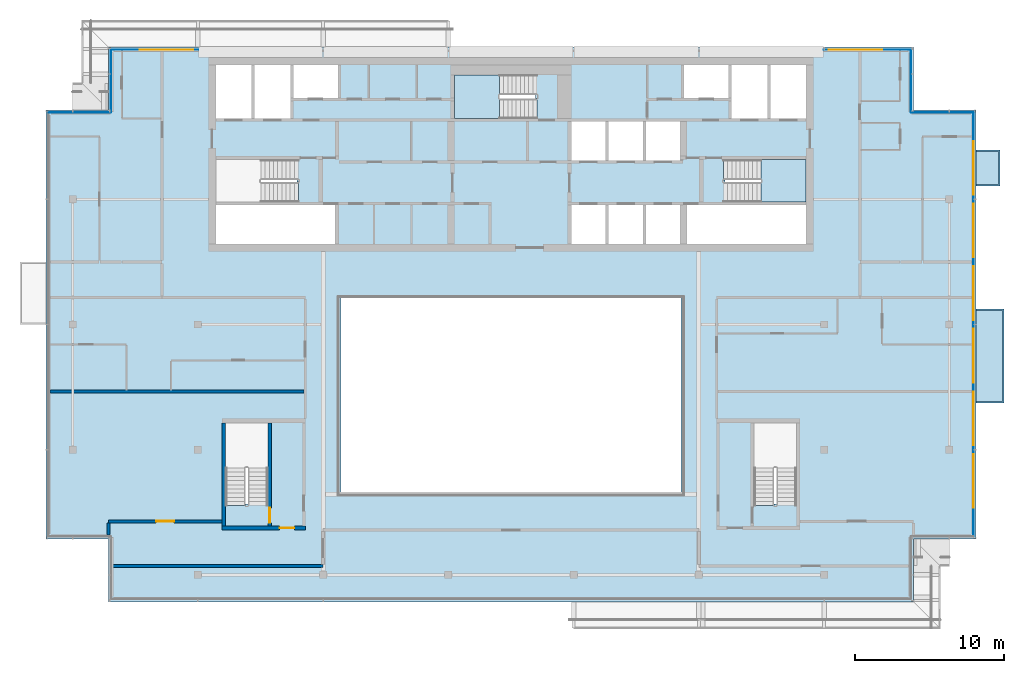
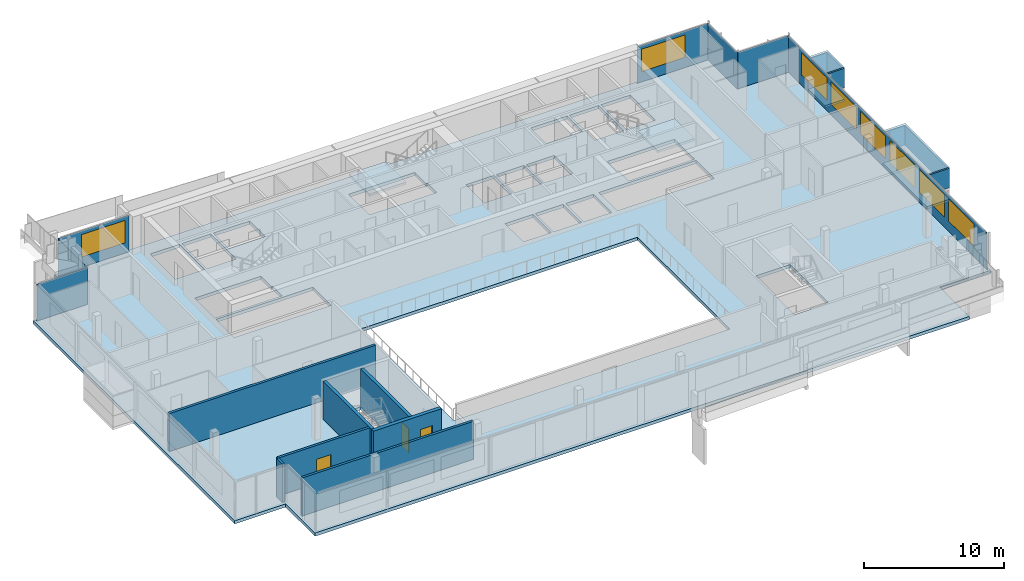
# One storey, part 10 of 21: 11 plates, 8 windows, 7 walls, 5 slabs, 3 doors, 11 openings, 8 elements without a shape of their own.
"""IFC4 building model written with IfcOpenShell, lengths in metres."""

from ifc_helpers import new_model, si_unit, direction, frame, frame_2d, origin, place, context, subcontext, project, spatial, polyline, rectangle, outline, extrude, material, layer, layer_set, type_object, element, fill, aggregate, save


model = new_model("IFC4")

# Units and contexts
model_context = context("Model", 3, precision=1e-05, world=origin(), true_north=direction((0.0, 1.0)))
body_context = subcontext(model_context, "Body", "Model", "MODEL_VIEW")
ifc_project = project(units=[si_unit("LENGTHUNIT", "METRE"), si_unit("AREAUNIT", "SQUARE_METRE"), si_unit("VOLUMEUNIT", "CUBIC_METRE"), si_unit("PLANEANGLEUNIT", "RADIAN"), si_unit("MASSUNIT", "GRAM", prefix="KILO")], contexts=[model_context])

# Site, building, storey
site_placement = place(None, origin())
site = spatial("IfcSite", under=ifc_project, at=site_placement, CompositionType="ELEMENT")
building_placement = place(site_placement, origin())
building = spatial("IfcBuilding", under=site, at=building_placement, Name="Saffron Gate Tower", CompositionType="ELEMENT")
storey_placement = place(building_placement, frame((0.0, 0.0, 288.75)))
storey = spatial("IfcBuildingStorey", under=building, at=storey_placement, Name="L70", CompositionType="ELEMENT", Elevation=288.75)

# Curtain wall, plate, openings, windows
ifc_material_1 = material(Name="Aluminium, bronze anodised", Category="aluminium")
curtain_wall_type_1 = type_object("IfcCurtainWallType", Name="CWS2 curtain wall side facades", PredefinedType="NOTDEFINED", material=ifc_material_1)
curtain_wall_1_placement = place(storey_placement, origin())
curtain_wall_1 = element("IfcCurtainWall", 1, at=curtain_wall_1_placement, inside=storey, type_object=curtain_wall_type_1, Name="CWS2 run 4", PredefinedType="NOTDEFINED")
ifc_material_2 = material(Name="Fritted bronze-tinted laminated glass", Category="glass")
ifc_layer_1 = layer(ifc_material_2, 0.028076171875)
ifc_layer_set_1 = layer_set([ifc_layer_1], Name="CWS2 fixed glass")
plate_type_1 = type_object("IfcPlateType", Name="CWS2 fixed glass", PredefinedType="CURTAIN_PANEL", material=ifc_layer_set_1)
plate_1_placement = place(storey_placement, frame((118.6259765625, 42.7880859375, 0.0), z_axis=(0.0, 0.0, 1.0), x_axis=(0.0, 1.0, 0.0)))
plate_1 = element("IfcPlate", 2, at=plate_1_placement, type_object=plate_type_1, Name="CWS2 glass panel", PredefinedType="CURTAIN_PANEL", context=body_context, shape_type="SweptSolid", body=[
    extrude(rectangle(XDim=28.423828125, YDim=0.028076171875, at=frame_2d((14.2119140625, 0.0))), origin(), (0.0, 0.0, 1.0), 3.199951171875),
])
opening_1_placement = place(plate_1_placement, frame((1.912109375, 0.0, 0.89990234375)))
opening_1 = element("IfcOpeningElement", 3, at=opening_1_placement, cuts=plate_1, Name="Opening W1", PredefinedType="OPENING", context=body_context, shape_type="SweptSolid", body=[
    extrude(rectangle(XDim=3.60009765625, YDim=1.949951171875, at=frame_2d((1.800048828125, 0.97509765625))), frame((0.0, 0.02392578125, 0.0), z_axis=(0.0, -1.0, 0.0), x_axis=(1.0, 0.0, 0.0)), (0.0, 0.0, 1.0), 0.048095703125),
])
opening_2_placement = place(plate_1_placement, frame((6.112060546875, 0.0, 0.89990234375)))
opening_2 = element("IfcOpeningElement", 4, at=opening_2_placement, cuts=plate_1, Name="Opening W1", PredefinedType="OPENING", context=body_context, shape_type="SweptSolid", body=[
    extrude(rectangle(XDim=3.60009765625, YDim=1.949951171875, at=frame_2d((1.800048828125, 0.97509765625))), frame((0.0, 0.02392578125, 0.0), z_axis=(0.0, -1.0, 0.0), x_axis=(1.0, 0.0, 0.0)), (0.0, 0.0, 1.0), 0.048095703125),
])
opening_3_placement = place(plate_1_placement, frame((10.31201171875, 0.0, 0.89990234375)))
opening_3 = element("IfcOpeningElement", 5, at=opening_3_placement, cuts=plate_1, Name="Opening W1", PredefinedType="OPENING", context=body_context, shape_type="SweptSolid", body=[
    extrude(rectangle(XDim=3.60009765625, YDim=1.949951171875, at=frame_2d((1.800048828125, 0.97509765625))), frame((0.0, 0.02392578125, 0.0), z_axis=(0.0, -1.0, 0.0), x_axis=(1.0, 0.0, 0.0)), (0.0, 0.0, 1.0), 0.048095703125),
])
opening_4_placement = place(plate_1_placement, frame((14.511962890625, 0.0, 0.89990234375)))
opening_4 = element("IfcOpeningElement", 6, at=opening_4_placement, cuts=plate_1, Name="Opening W1", PredefinedType="OPENING", context=body_context, shape_type="SweptSolid", body=[
    extrude(rectangle(XDim=3.60009765625, YDim=1.949951171875, at=frame_2d((1.800048828125, 0.97509765625))), frame((0.0, 0.02392578125, 0.0), z_axis=(0.0, -1.0, 0.0), x_axis=(1.0, 0.0, 0.0)), (0.0, 0.0, 1.0), 0.048095703125),
])
opening_5_placement = place(plate_1_placement, frame((18.7119140625, 0.0, 0.89990234375)))
opening_5 = element("IfcOpeningElement", 7, at=opening_5_placement, cuts=plate_1, Name="Opening W1", PredefinedType="OPENING", context=body_context, shape_type="SweptSolid", body=[
    extrude(rectangle(XDim=3.60009765625, YDim=1.949951171875, at=frame_2d((1.800048828125, 0.97509765625))), frame((0.0, 0.02392578125, 0.0), z_axis=(0.0, -1.0, 0.0), x_axis=(1.0, 0.0, 0.0)), (0.0, 0.0, 1.0), 0.048095703125),
])
opening_6_placement = place(plate_1_placement, frame((22.912109375, 0.0, 0.89990234375)))
opening_6 = element("IfcOpeningElement", 8, at=opening_6_placement, cuts=plate_1, Name="Opening W1", PredefinedType="OPENING", context=body_context, shape_type="SweptSolid", body=[
    extrude(rectangle(XDim=3.60009765625, YDim=1.949951171875, at=frame_2d((1.800048828125, 0.97509765625))), frame((0.0, 0.02392578125, 0.0), z_axis=(0.0, -1.0, 0.0), x_axis=(1.0, 0.0, 0.0)), (0.0, 0.0, 1.0), 0.048095703125),
])
ifc_material_3 = material(Name="Fritted bronze-tinted laminated glass in bronze frame", Category="glass")
ifc_layer_2 = layer(ifc_material_3, 0.06005859375)
ifc_layer_set_2 = layer_set([ifc_layer_2], Name="W1 operable panel 3600x1950")
window_type = type_object("IfcWindowType", Name="W1 operable panel 3600x1950", PartitioningType="DOUBLE_PANEL_HORIZONTAL", PredefinedType="WINDOW", material=ifc_layer_set_2)
window_1_placement = place(opening_1_placement, origin())
window_1 = element("IfcWindow", 9, at=window_1_placement, type_object=window_type, Name="W1 operable panel", OverallHeight=1.949951171875, OverallWidth=3.60009765625, PartitioningType="SINGLE_PANEL", PredefinedType="WINDOW", context=body_context, shape_type="SweptSolid", body=[
    extrude(rectangle(XDim=3.60009765625, YDim=1.949951171875, at=frame_2d((1.800048828125, 0.97509765625))), frame((0.0, 0.013671875, 0.0), z_axis=(0.0, -1.0, 0.0), x_axis=(1.0, 0.0, 0.0)), (0.0, 0.0, 1.0), 0.027587890625),
])
fill(opening_1, window_1)
window_2_placement = place(opening_2_placement, origin())
window_2 = element("IfcWindow", 10, at=window_2_placement, type_object=window_type, Name="W1 operable panel", OverallHeight=1.949951171875, OverallWidth=3.60009765625, PartitioningType="SINGLE_PANEL", PredefinedType="WINDOW", context=body_context, shape_type="SweptSolid", body=[
    extrude(rectangle(XDim=3.60009765625, YDim=1.949951171875, at=frame_2d((1.800048828125, 0.97509765625))), frame((0.0, 0.013671875, 0.0), z_axis=(0.0, -1.0, 0.0), x_axis=(1.0, 0.0, 0.0)), (0.0, 0.0, 1.0), 0.027587890625),
])
fill(opening_2, window_2)
window_3_placement = place(opening_3_placement, origin())
window_3 = element("IfcWindow", 11, at=window_3_placement, type_object=window_type, Name="W1 operable panel", OverallHeight=1.949951171875, OverallWidth=3.60009765625, PartitioningType="SINGLE_PANEL", PredefinedType="WINDOW", context=body_context, shape_type="SweptSolid", body=[
    extrude(rectangle(XDim=3.60009765625, YDim=1.949951171875, at=frame_2d((1.800048828125, 0.97509765625))), frame((0.0, 0.013671875, 0.0), z_axis=(0.0, -1.0, 0.0), x_axis=(1.0, 0.0, 0.0)), (0.0, 0.0, 1.0), 0.027587890625),
])
fill(opening_3, window_3)
window_4_placement = place(opening_4_placement, origin())
window_4 = element("IfcWindow", 12, at=window_4_placement, type_object=window_type, Name="W1 operable panel", OverallHeight=1.949951171875, OverallWidth=3.60009765625, PartitioningType="SINGLE_PANEL", PredefinedType="WINDOW", context=body_context, shape_type="SweptSolid", body=[
    extrude(rectangle(XDim=3.60009765625, YDim=1.949951171875, at=frame_2d((1.800048828125, 0.97509765625))), frame((0.0, 0.013671875, 0.0), z_axis=(0.0, -1.0, 0.0), x_axis=(1.0, 0.0, 0.0)), (0.0, 0.0, 1.0), 0.027587890625),
])
fill(opening_4, window_4)
window_5_placement = place(opening_5_placement, origin())
window_5 = element("IfcWindow", 13, at=window_5_placement, type_object=window_type, Name="W1 operable panel", OverallHeight=1.949951171875, OverallWidth=3.60009765625, PartitioningType="SINGLE_PANEL", PredefinedType="WINDOW", context=body_context, shape_type="SweptSolid", body=[
    extrude(rectangle(XDim=3.60009765625, YDim=1.949951171875, at=frame_2d((1.800048828125, 0.97509765625))), frame((0.0, 0.013671875, 0.0), z_axis=(0.0, -1.0, 0.0), x_axis=(1.0, 0.0, 0.0)), (0.0, 0.0, 1.0), 0.027587890625),
])
fill(opening_5, window_5)
window_6_placement = place(opening_6_placement, origin())
window_6 = element("IfcWindow", 14, at=window_6_placement, type_object=window_type, Name="W1 operable panel", OverallHeight=1.949951171875, OverallWidth=3.60009765625, PartitioningType="SINGLE_PANEL", PredefinedType="WINDOW", context=body_context, shape_type="SweptSolid", body=[
    extrude(rectangle(XDim=3.60009765625, YDim=1.949951171875, at=frame_2d((1.800048828125, 0.97509765625))), frame((0.0, 0.013671875, 0.0), z_axis=(0.0, -1.0, 0.0), x_axis=(1.0, 0.0, 0.0)), (0.0, 0.0, 1.0), 0.027587890625),
])
fill(opening_6, window_6)
aggregate(curtain_wall_1, [plate_1, window_1, window_2, window_3, window_4, window_5, window_6])

# Curtain wall, plates, openings, windows
curtain_wall_type_2 = type_object("IfcCurtainWallType", Name="CWS3 curtain wall rear facade", PredefinedType="NOTDEFINED", material=ifc_material_1)
curtain_wall_2_placement = place(storey_placement, origin())
curtain_wall_2 = element("IfcCurtainWall", 15, at=curtain_wall_2_placement, inside=storey, type_object=curtain_wall_type_2, Name="CWS3 run 7", PredefinedType="NOTDEFINED")
ifc_material_4 = material(Name="Fritted grey-tinted laminated glass", Category="glass")
ifc_layer_3 = layer(ifc_material_4, 0.028076171875)
ifc_layer_set_3 = layer_set([ifc_layer_3], Name="CWS3 fixed glass")
plate_type_2 = type_object("IfcPlateType", Name="CWS3 fixed glass", PredefinedType="CURTAIN_PANEL", material=ifc_layer_set_3)
plate_2_placement = place(storey_placement, frame((114.412109375, 75.426025390625, 0.0), z_axis=(0.0, 0.0, 1.0), x_axis=(-1.0, 0.0, 0.0)))
plate_2 = element("IfcPlate", 16, at=plate_2_placement, type_object=plate_type_2, Name="CWS3 glass panel", PredefinedType="CURTAIN_PANEL", context=body_context, shape_type="SweptSolid", body=[
    extrude(rectangle(XDim=5.84716796875, YDim=0.028076171875, at=frame_2d((2.923583984375, 0.0))), origin(), (0.0, 0.0, 1.0), 3.199951171875),
])
opening_7_placement = place(plate_2_placement, frame((1.912109375, 0.0, 0.89990234375)))
opening_7 = element("IfcOpeningElement", 17, at=opening_7_placement, cuts=plate_2, Name="Opening W1", PredefinedType="OPENING", context=body_context, shape_type="SweptSolid", body=[
    extrude(rectangle(XDim=3.60009765625, YDim=1.949951171875, at=frame_2d((1.800048828125, 0.97509765625))), frame((0.0, 0.02392578125, 0.0), z_axis=(0.0, -1.0, 0.0), x_axis=(1.0, 0.0, 0.0)), (0.0, 0.0, 1.0), 0.048095703125),
])
window_7_placement = place(opening_7_placement, origin())
window_7 = element("IfcWindow", 18, at=window_7_placement, type_object=window_type, Name="W1 operable panel", OverallHeight=1.949951171875, OverallWidth=3.60009765625, PartitioningType="SINGLE_PANEL", PredefinedType="WINDOW", context=body_context, shape_type="SweptSolid", body=[
    extrude(rectangle(XDim=3.60009765625, YDim=1.949951171875, at=frame_2d((1.800048828125, 0.97509765625))), frame((0.0, 0.013671875, 0.0), z_axis=(0.0, -1.0, 0.0), x_axis=(1.0, 0.0, 0.0)), (0.0, 0.0, 1.0), 0.027587890625),
])
fill(opening_7, window_7)
plate_3_placement = place(storey_placement, frame((66.635009765625, 75.426025390625, 0.0), z_axis=(0.0, 0.0, 1.0), x_axis=(-1.0, 0.0, 0.0)))
plate_3 = element("IfcPlate", 19, at=plate_3_placement, type_object=plate_type_2, Name="CWS3 glass panel", PredefinedType="CURTAIN_PANEL", context=body_context, shape_type="SweptSolid", body=[
    extrude(rectangle(XDim=5.846923828125, YDim=0.028076171875, at=frame_2d((2.92333984375, 0.0))), origin(), (0.0, 0.0, 1.0), 3.199951171875),
])
opening_8_placement = place(plate_3_placement, frame((0.3349609375, 0.0, 0.89990234375)))
opening_8 = element("IfcOpeningElement", 20, at=opening_8_placement, cuts=plate_3, Name="Opening W1", PredefinedType="OPENING", context=body_context, shape_type="SweptSolid", body=[
    extrude(rectangle(XDim=3.60009765625, YDim=1.949951171875, at=frame_2d((1.800048828125, 0.97509765625))), frame((0.0, 0.02392578125, 0.0), z_axis=(0.0, -1.0, 0.0), x_axis=(1.0, 0.0, 0.0)), (0.0, 0.0, 1.0), 0.048095703125),
])
window_8_placement = place(opening_8_placement, origin())
window_8 = element("IfcWindow", 21, at=window_8_placement, type_object=window_type, Name="W1 operable panel", OverallHeight=1.949951171875, OverallWidth=3.60009765625, PartitioningType="SINGLE_PANEL", PredefinedType="WINDOW", context=body_context, shape_type="SweptSolid", body=[
    extrude(rectangle(XDim=3.60009765625, YDim=1.949951171875, at=frame_2d((1.800048828125, 0.97509765625))), frame((0.0, 0.013671875, 0.0), z_axis=(0.0, -1.0, 0.0), x_axis=(1.0, 0.0, 0.0)), (0.0, 0.0, 1.0), 0.027587890625),
])
fill(opening_8, window_8)
aggregate(curtain_wall_2, [plate_2, plate_3, window_7, window_8])

# Curtain wall, plate
curtain_wall_type_3 = type_object("IfcCurtainWallType", Name="CWS4 curtain wall corner returns", PredefinedType="NOTDEFINED", material=ifc_material_1)
curtain_wall_3_placement = place(storey_placement, origin())
curtain_wall_3 = element("IfcCurtainWall", 22, at=curtain_wall_3_placement, inside=storey, type_object=curtain_wall_type_3, Name="CWS4 run 5", PredefinedType="NOTDEFINED")
ifc_layer_4 = layer(ifc_material_2, 0.028076171875)
ifc_layer_set_4 = layer_set([ifc_layer_4], Name="CWS4 fixed glass")
plate_type_3 = type_object("IfcPlateType", Name="CWS4 fixed glass", PredefinedType="CURTAIN_PANEL", material=ifc_layer_set_4)
plate_4_placement = place(storey_placement, frame((118.612060546875, 71.22607421875, 0.0), z_axis=(0.0, 0.0, 1.0), x_axis=(-1.0, 0.0, 0.0)))
plate_4 = element("IfcPlate", 23, at=plate_4_placement, type_object=plate_type_3, Name="CWS4 glass panel", PredefinedType="CURTAIN_PANEL", context=body_context, shape_type="SweptSolid", body=[
    extrude(rectangle(XDim=4.172119140625, YDim=0.028076171875, at=frame_2d((2.0859375, 0.0))), origin(), (0.0, 0.0, 1.0), 3.199951171875),
])
aggregate(curtain_wall_3, [plate_4])

curtain_wall_4_placement = place(storey_placement, origin())
curtain_wall_4 = element("IfcCurtainWall", 24, at=curtain_wall_4_placement, inside=storey, type_object=curtain_wall_type_3, Name="CWS4 run 6", PredefinedType="NOTDEFINED")
plate_5_placement = place(storey_placement, frame((114.426025390625, 71.239990234375, 0.0), z_axis=(0.0, 0.0, 1.0), x_axis=(0.0, 1.0, 0.0)))
plate_5 = element("IfcPlate", 25, at=plate_5_placement, type_object=plate_type_3, Name="CWS4 glass panel", PredefinedType="CURTAIN_PANEL", context=body_context, shape_type="SweptSolid", body=[
    extrude(rectangle(XDim=4.172119140625, YDim=0.028076171875, at=frame_2d((2.0859375, 0.0))), origin(), (0.0, 0.0, 1.0), 3.199951171875),
])
aggregate(curtain_wall_4, [plate_5])

curtain_wall_5_placement = place(storey_placement, origin())
curtain_wall_5 = element("IfcCurtainWall", 26, at=curtain_wall_5_placement, inside=storey, type_object=curtain_wall_type_3, Name="CWS4 run 8", PredefinedType="NOTDEFINED")
plate_6_placement = place(storey_placement, frame((60.77392578125, 75.412109375, 0.0), z_axis=(0.0, 0.0, 1.0), x_axis=(0.0, -1.0, 0.0)))
plate_6 = element("IfcPlate", 27, at=plate_6_placement, type_object=plate_type_3, Name="CWS4 glass panel", PredefinedType="CURTAIN_PANEL", context=body_context, shape_type="SweptSolid", body=[
    extrude(rectangle(XDim=4.172119140625, YDim=0.028076171875, at=frame_2d((2.0859375, 0.0))), origin(), (0.0, 0.0, 1.0), 3.199951171875),
])
aggregate(curtain_wall_5, [plate_6])

curtain_wall_6_placement = place(storey_placement, origin())
curtain_wall_6 = element("IfcCurtainWall", 28, at=curtain_wall_6_placement, inside=storey, type_object=curtain_wall_type_3, Name="CWS4 run 9", PredefinedType="NOTDEFINED")
plate_7_placement = place(storey_placement, frame((60.760009765625, 71.22607421875, 0.0), z_axis=(0.0, 0.0, 1.0), x_axis=(-1.0, 0.0, 0.0)))
plate_7 = element("IfcPlate", 29, at=plate_7_placement, type_object=plate_type_3, Name="CWS4 glass panel", PredefinedType="CURTAIN_PANEL", context=body_context, shape_type="SweptSolid", body=[
    extrude(rectangle(XDim=4.172119140625, YDim=0.028076171875, at=frame_2d((2.0859375, 0.0))), origin(), (0.0, 0.0, 1.0), 3.199951171875),
])
aggregate(curtain_wall_6, [plate_7])

# Slab
ifc_material_5 = material(Name="Concrete C40", Category="concrete")
ifc_layer_5 = layer(ifc_material_5, 0.280029296875)
ifc_layer_set_5 = layer_set([ifc_layer_5], Name="S2 FLOOR SLAB 280 CONCRETE C40")
slab_type_1 = type_object("IfcSlabType", Name="S2 FLOOR SLAB 280 CONCRETE C40", PredefinedType="FLOOR", material=ifc_layer_set_5)
slab_1_placement = place(storey_placement, frame((0.0, 0.0, -0.280029296875)))
element("IfcSlab", 30, at=slab_1_placement, inside=storey, type_object=slab_type_1, Name="S2 FLOOR SLAB", PredefinedType="FLOOR", context=body_context, shape_type="SweptSolid", body=[
    extrude(outline(polyline([(56.39990234375, 42.60009765625), (60.60009765625, 42.60009765625), (60.60009765625, 38.39990234375), (114.60009765625, 38.39990234375), (114.60009765625, 42.60009765625), (118.800048828125, 42.60009765625), (118.800048828125, 71.39990234375), (114.60009765625, 71.39990234375), (114.60009765625, 75.60009765625), (60.60009765625, 75.60009765625), (60.60009765625, 71.39990234375), (56.39990234375, 71.39990234375), (56.39990234375, 42.60009765625)]), holes=[polyline([(67.800048828125, 62.39990234375), (67.800048828125, 65.0), (75.800048828125, 65.0), (75.800048828125, 62.39990234375), (67.800048828125, 62.39990234375)]), polyline([(67.800048828125, 65.199951171875), (67.800048828125, 68.050048828125), (73.25, 68.050048828125), (73.25, 66.550048828125), (73.34912109375, 66.550048828125), (73.34912109375, 65.199951171875), (67.800048828125, 65.199951171875)]), polyline([(67.800048828125, 70.800048828125), (67.800048828125, 74.39990234375), (70.199951171875, 74.39990234375), (70.199951171875, 70.800048828125), (67.800048828125, 70.800048828125)]), polyline([(68.449951171875, 44.85107421875), (68.449951171875, 50.39990234375), (71.300048828125, 50.39990234375), (71.300048828125, 44.949951171875), (69.800048828125, 44.949951171875), (69.800048828125, 44.85107421875), (68.449951171875, 44.85107421875)]), polyline([(70.39990234375, 70.800048828125), (70.39990234375, 74.39990234375), (72.800048828125, 74.39990234375), (72.800048828125, 70.800048828125), (70.39990234375, 70.800048828125)]), polyline([(73.0, 72.199951171875), (73.0, 74.39990234375), (76.0, 74.39990234375), (76.0, 72.199951171875), (73.0, 72.199951171875)]), polyline([(76.199951171875, 45.60009765625), (76.199951171875, 58.800048828125), (99.0, 58.800048828125), (99.0, 45.60009765625), (76.199951171875, 45.60009765625)]), polyline([(83.800048828125, 70.800048828125), (83.800048828125, 73.75), (89.25, 73.75), (89.25, 72.14990234375), (89.34912109375, 72.14990234375), (89.34912109375, 70.800048828125), (83.800048828125, 70.800048828125)]), polyline([(91.64990234375, 62.39990234375), (91.64990234375, 65.0), (93.949951171875, 65.0), (93.949951171875, 62.39990234375), (91.64990234375, 62.39990234375)]), polyline([(91.64990234375, 68.0), (91.64990234375, 70.60009765625), (93.949951171875, 70.60009765625), (93.949951171875, 68.0), (91.64990234375, 68.0)]), polyline([(94.14990234375, 62.39990234375), (94.14990234375, 65.0), (96.449951171875, 65.0), (96.449951171875, 62.39990234375), (94.14990234375, 62.39990234375)]), polyline([(94.14990234375, 68.0), (94.14990234375, 70.60009765625), (96.449951171875, 70.60009765625), (96.449951171875, 68.0), (94.14990234375, 68.0)]), polyline([(96.64990234375, 62.39990234375), (96.64990234375, 65.0), (98.949951171875, 65.0), (98.949951171875, 62.39990234375), (96.64990234375, 62.39990234375)]), polyline([(96.64990234375, 68.0), (96.64990234375, 70.60009765625), (98.949951171875, 70.60009765625), (98.949951171875, 68.0), (96.64990234375, 68.0)]), polyline([(99.199951171875, 72.199951171875), (99.199951171875, 74.39990234375), (102.199951171875, 74.39990234375), (102.199951171875, 72.199951171875), (99.199951171875, 72.199951171875)]), polyline([(99.39990234375, 62.39990234375), (99.39990234375, 65.0), (107.39990234375, 65.0), (107.39990234375, 62.39990234375), (99.39990234375, 62.39990234375)]), polyline([(101.85107421875, 66.699951171875), (101.85107421875, 68.050048828125), (107.39990234375, 68.050048828125), (107.39990234375, 65.199951171875), (101.949951171875, 65.199951171875), (101.949951171875, 66.699951171875), (101.85107421875, 66.699951171875)]), polyline([(102.39990234375, 70.800048828125), (102.39990234375, 74.39990234375), (104.800048828125, 74.39990234375), (104.800048828125, 70.800048828125), (102.39990234375, 70.800048828125)]), polyline([(103.89990234375, 44.85107421875), (103.89990234375, 50.39990234375), (106.75, 50.39990234375), (106.75, 44.949951171875), (105.25, 44.949951171875), (105.25, 44.85107421875), (103.89990234375, 44.85107421875)]), polyline([(105.0, 70.800048828125), (105.0, 74.39990234375), (107.39990234375, 74.39990234375), (107.39990234375, 70.800048828125), (105.0, 70.800048828125)])]), origin(), (0.0, 0.0, 1.0), 0.280029296875),
])

# Stair, slab
stair_type = type_object("IfcStairType", Name="ST7 Stair 1350 wide, 20 risers of 180", PredefinedType="HALF_TURN_STAIR", material=ifc_material_5)
stair_1_placement = place(storey_placement, origin())
stair_1 = element("IfcStair", 31, at=stair_1_placement, inside=storey, type_object=stair_type, Name="L70 Exit stair B", PredefinedType="HALF_TURN_STAIR")
ifc_layer_6 = layer(ifc_material_5, 0.199951171875)
ifc_layer_set_6 = layer_set([ifc_layer_6], Name="SL1 Stair landing 200")
slab_type_2 = type_object("IfcSlabType", Name="SL1 Stair landing 200", PredefinedType="LANDING", material=ifc_layer_set_6)
slab_2_placement = place(storey_placement, frame((0.0, 0.0, 1.60009765625)))
slab_2 = element("IfcSlab", 32, at=slab_2_placement, type_object=slab_type_2, Name="ST-B landing 1", PredefinedType="LANDING", context=body_context, shape_type="SweptSolid", body=[
    extrude(outline(polyline([(104.3701171875, 65.199951171875), (107.39990234375, 65.199951171875), (107.39990234375, 68.050048828125), (104.3701171875, 68.050048828125), (104.3701171875, 65.199951171875)])), origin(), (0.0, 0.0, 1.0), 0.199951171875),
])
aggregate(stair_1, [slab_2])

stair_2_placement = place(storey_placement, origin())
stair_2 = element("IfcStair", 33, at=stair_2_placement, inside=storey, type_object=stair_type, Name="L70 Exit stair C", PredefinedType="HALF_TURN_STAIR")
slab_3_placement = place(storey_placement, frame((0.0, 0.0, 1.60009765625)))
slab_3 = element("IfcSlab", 34, at=slab_3_placement, type_object=slab_type_2, Name="ST-C landing 1", PredefinedType="LANDING", context=body_context, shape_type="SweptSolid", body=[
    extrude(outline(polyline([(86.830078125, 73.75), (83.800048828125, 73.75), (83.800048828125, 70.800048828125), (86.830078125, 70.800048828125), (86.830078125, 73.75)])), origin(), (0.0, 0.0, 1.0), 0.199951171875),
])
aggregate(stair_2, [slab_3])

# Slabs
ifc_material_6 = material(Name="Timber deck on bronze frame", Category="wood")
ifc_layer_7 = layer(ifc_material_6, 0.199951171875)
ifc_layer_set_7 = layer_set([ifc_layer_7], Name="WB1 box floor")
slab_type_3 = type_object("IfcSlabType", Name="WB1 box floor", PredefinedType="FLOOR", material=ifc_layer_set_7)
slab_4_placement = place(storey_placement, frame((0.0, 0.0, -0.199951171875)))
element("IfcSlab", 35, at=slab_4_placement, inside=storey, type_object=slab_type_3, Name="WINDOW BOX floor", PredefinedType="FLOOR", context=body_context, shape_type="SweptSolid", body=[
    extrude(outline(polyline([(118.800048828125, 51.75), (118.800048828125, 58.050048828125), (120.6669921875, 58.050048828125), (120.6669921875, 51.75), (118.800048828125, 51.75)])), origin(), (0.0, 0.0, 1.0), 0.199951171875),
])
slab_5_placement = place(storey_placement, frame((0.0, 0.0, -0.199951171875)))
element("IfcSlab", 36, at=slab_5_placement, inside=storey, type_object=slab_type_3, Name="WINDOW BOX floor", PredefinedType="FLOOR", context=body_context, shape_type="SweptSolid", body=[
    extrude(outline(polyline([(118.800048828125, 66.300048828125), (118.800048828125, 68.699951171875), (120.39990234375, 68.699951171875), (120.39990234375, 66.300048828125), (118.800048828125, 66.300048828125)])), origin(), (0.0, 0.0, 1.0), 0.199951171875),
])

# Plates
ifc_layer_8 = layer(ifc_material_1, 0.1201171875)
ifc_layer_set_8 = layer_set([ifc_layer_8], Name="WB2 box roof")
plate_type_4 = type_object("IfcPlateType", Name="WB2 box roof", PredefinedType="SHEET", material=ifc_layer_set_8)
plate_8_placement = place(storey_placement, frame((0.0, 0.0, 2.699951171875)))
element("IfcPlate", 37, at=plate_8_placement, inside=storey, type_object=plate_type_4, Name="WINDOW BOX roof", PredefinedType="SHEET", context=body_context, shape_type="SweptSolid", body=[
    extrude(outline(polyline([(118.800048828125, 51.75), (118.800048828125, 58.050048828125), (120.6669921875, 58.050048828125), (120.6669921875, 51.75), (118.800048828125, 51.75)])), origin(), (0.0, 0.0, 1.0), 0.1201171875),
])
plate_9_placement = place(storey_placement, frame((0.0, 0.0, 2.699951171875)))
element("IfcPlate", 38, at=plate_9_placement, inside=storey, type_object=plate_type_4, Name="WINDOW BOX roof", PredefinedType="SHEET", context=body_context, shape_type="SweptSolid", body=[
    extrude(outline(polyline([(118.800048828125, 66.300048828125), (118.800048828125, 68.699951171875), (120.39990234375, 68.699951171875), (120.39990234375, 66.300048828125), (118.800048828125, 66.300048828125)])), origin(), (0.0, 0.0, 1.0), 0.1201171875),
])
ifc_material_7 = material(Name="Clear low-iron laminated glass", Category="glass")
ifc_layer_9 = layer(ifc_material_7, 0.10009765625)
ifc_layer_set_9 = layer_set([ifc_layer_9], Name="WB6 box glazing")
plate_type_5 = type_object("IfcPlateType", Name="WB6 box glazing", PredefinedType="SHEET", material=ifc_layer_set_9)
plate_10_placement = place(storey_placement, frame((0.0, 0.0, 1.0)))
element("IfcPlate", 39, at=plate_10_placement, inside=storey, type_object=plate_type_5, Name="WINDOW BOX glazing", PredefinedType="SHEET", context=body_context, shape_type="SweptSolid", body=[
    extrude(outline(polyline([(118.800048828125, 51.75), (118.800048828125, 51.85009765625), (120.56689453125, 51.85009765625), (120.56689453125, 57.949951171875), (118.800048828125, 57.949951171875), (118.800048828125, 58.050048828125), (120.6669921875, 58.050048828125), (120.6669921875, 51.75), (118.800048828125, 51.75)])), origin(), (0.0, 0.0, 1.0), 1.699951171875),
])
plate_11_placement = place(storey_placement, frame((0.0, 0.0, 1.0)))
element("IfcPlate", 40, at=plate_11_placement, inside=storey, type_object=plate_type_5, Name="WINDOW BOX glazing", PredefinedType="SHEET", context=body_context, shape_type="SweptSolid", body=[
    extrude(outline(polyline([(118.800048828125, 66.300048828125), (118.800048828125, 66.39990234375), (120.300048828125, 66.39990234375), (120.300048828125, 68.60009765625), (118.800048828125, 68.60009765625), (118.800048828125, 68.699951171875), (120.39990234375, 68.699951171875), (120.39990234375, 66.300048828125), (118.800048828125, 66.300048828125)])), origin(), (0.0, 0.0, 1.0), 1.699951171875),
])

# Wall
ifc_material_8 = material(Name="Concrete C50", Category="concrete")
ifc_layer_10 = layer(ifc_material_8, 0.25)
ifc_layer_set_10 = layer_set([ifc_layer_10], Name="CW23 RC core wall 250 C50")
wall_type_1 = type_object("IfcWallType", Name="CW23 RC core wall 250 C50", PredefinedType="SOLIDWALL", material=ifc_layer_set_10)
wall_1_placement = place(storey_placement, frame((68.324951171875, 43.5, 0.0), z_axis=(0.0, 0.0, 1.0), x_axis=(0.0, 1.0, 0.0)))
element("IfcWall", 41, at=wall_1_placement, inside=storey, type_object=wall_type_1, Name="Wall CW23-L70-D-2", PredefinedType="SOLIDWALL", context=body_context, shape_type="SweptSolid", body=[
    extrude(rectangle(XDim=6.89990234375, YDim=0.25, at=frame_2d((3.449951171875, 0.0))), origin(), (0.0, 0.0, 1.0), 3.320068359375),
])

# Wall, opening, door
wall_2_placement = place(storey_placement, frame((71.425048828125, 43.5, 0.0), z_axis=(0.0, 0.0, 1.0), x_axis=(0.0, 1.0, 0.0)))
wall_2 = element("IfcWall", 42, at=wall_2_placement, inside=storey, type_object=wall_type_1, Name="Wall CW23-L70-D-3", PredefinedType="SOLIDWALL", context=body_context, shape_type="SweptSolid", body=[
    extrude(rectangle(XDim=6.89990234375, YDim=0.25, at=frame_2d((3.449951171875, 0.0))), origin(), (0.0, 0.0, 1.0), 3.320068359375),
])
opening_9_placement = place(wall_2_placement, frame((0.199951171875, 0.0, 0.0)))
opening_9 = element("IfcOpeningElement", 43, at=opening_9_placement, cuts=wall_2, Name="Opening CR-20", PredefinedType="OPENING", context=body_context, shape_type="SweptSolid", body=[
    extrude(rectangle(XDim=1.0, YDim=2.10009765625, at=frame_2d((0.5, 1.050048828125))), frame((0.0, 0.135009765625, 0.0), z_axis=(0.0, -1.0, 0.0), x_axis=(1.0, 0.0, 0.0)), (0.0, 0.0, 1.0), 0.27001953125),
])
ifc_material_9 = material(Name="Steel fire door set", Category="steel")
door_type_1 = type_object("IfcDoorType", Name="CD5 Stair door 1000x2100 EI 120", OperationType="NOTDEFINED", PredefinedType="DOOR", material=ifc_material_9)
door_1_placement = place(opening_9_placement, origin())
door_1 = element("IfcDoor", 44, at=door_1_placement, inside=storey, type_object=door_type_1, Name="DOOR CR-20", OperationType="SINGLE_SWING_LEFT", OverallHeight=2.10009765625, OverallWidth=1.0, PredefinedType="DOOR", context=body_context, shape_type="SweptSolid", body=[
    extrude(rectangle(XDim=1.0, YDim=2.10009765625, at=frame_2d((0.5, 1.050048828125))), frame((0.0, 0.02490234375, 0.0), z_axis=(0.0, -1.0, 0.0), x_axis=(1.0, 0.0, 0.0)), (0.0, 0.0, 1.0), 0.050048828125),
])
fill(opening_9, door_1)

ifc_layer_11 = layer(ifc_material_8, 0.300048828125)
ifc_layer_set_11 = layer_set([ifc_layer_11], Name="CW26 RC core wall 300 C50")
wall_type_2 = type_object("IfcWallType", Name="CW26 RC core wall 300 C50", PredefinedType="SOLIDWALL", material=ifc_layer_set_11)
wall_3_placement = place(storey_placement, frame((68.199951171875, 43.35009765625, 0.0), z_axis=(0.0, 0.0, 1.0), x_axis=(1.0, 0.0, 0.0)))
wall_3 = element("IfcWall", 45, at=wall_3_placement, inside=storey, type_object=wall_type_2, Name="Wall CW26-L70-D-1", PredefinedType="SOLIDWALL", context=body_context, shape_type="SweptSolid", body=[
    extrude(rectangle(XDim=5.60009765625, YDim=0.300048828125, at=frame_2d((2.800048828125, 0.0))), origin(), (0.0, 0.0, 1.0), 3.320068359375),
])
opening_10_placement = place(wall_3_placement, frame((3.875, 0.0, 0.0)))
opening_10 = element("IfcOpeningElement", 46, at=opening_10_placement, cuts=wall_3, Name="Opening CR-18", PredefinedType="OPENING", context=body_context, shape_type="SweptSolid", body=[
    extrude(rectangle(XDim=1.0, YDim=2.10009765625, at=frame_2d((0.5, 1.050048828125))), frame((0.0, 0.16015625, 0.0), z_axis=(0.0, -1.0, 0.0), x_axis=(1.0, 0.0, 0.0)), (0.0, 0.0, 1.0), 0.320068359375),
])
door_type_2 = type_object("IfcDoorType", Name="CD4 Lobby door 1000x2100 EI 120", OperationType="NOTDEFINED", PredefinedType="DOOR", material=ifc_material_9)
door_2_placement = place(opening_10_placement, origin())
door_2 = element("IfcDoor", 47, at=door_2_placement, inside=storey, type_object=door_type_2, Name="DOOR CR-18", OperationType="SINGLE_SWING_RIGHT", OverallHeight=2.10009765625, OverallWidth=1.0, PredefinedType="DOOR", context=body_context, shape_type="SweptSolid", body=[
    extrude(rectangle(XDim=1.0, YDim=2.10009765625, at=frame_2d((0.5, 1.050048828125))), frame((0.0, 0.02490234375, 0.0), z_axis=(0.0, -1.0, 0.0), x_axis=(1.0, 0.0, 0.0)), (0.0, 0.0, 1.0), 0.050048828125),
])
fill(opening_10, door_2)

# Wall
ifc_material_10 = material(Name="Clay brick masonry, rendered", Category="masonry")
ifc_layer_12 = layer(ifc_material_10, 0.199951171875)
ifc_layer_set_12 = layer_set([ifc_layer_12], Name="PW3 Corridor wall 200")
wall_type_3 = type_object("IfcWallType", Name="PW3 Corridor wall 200", PredefinedType="PARTITIONING", material=ifc_layer_set_12)
wall_4_placement = place(storey_placement, frame((60.8798828125, 40.800048828125, 0.0), z_axis=(0.0, 0.0, 1.0), x_axis=(1.0, 0.0, 0.0)))
element("IfcWall", 48, at=wall_4_placement, inside=storey, type_object=wall_type_3, Name="Wall E5-1", PredefinedType="PARTITIONING", context=body_context, shape_type="SweptSolid", body=[
    extrude(rectangle(XDim=14.1201171875, YDim=0.199951171875, at=frame_2d((7.06005859375, 0.0))), origin(), (0.0, 0.0, 1.0), 3.320068359375),
])

# Wall, opening, door
wall_5_placement = place(storey_placement, frame((60.60009765625, 43.800048828125, 0.0), z_axis=(0.0, 0.0, 1.0), x_axis=(1.0, 0.0, 0.0)))
wall_5 = element("IfcWall", 49, at=wall_5_placement, inside=storey, type_object=wall_type_3, Name="Wall E5-4", PredefinedType="PARTITIONING", context=body_context, shape_type="SweptSolid", body=[
    extrude(rectangle(XDim=7.599853515625, YDim=0.199951171875, at=frame_2d((3.7998046875, 0.0))), origin(), (0.0, 0.0, 1.0), 3.320068359375),
])
opening_11_placement = place(wall_5_placement, frame((3.199951171875, 0.0, 0.0)))
opening_11 = element("IfcOpeningElement", 50, at=opening_11_placement, cuts=wall_5, Name="Opening E5-17", PredefinedType="OPENING", context=body_context, shape_type="SweptSolid", body=[
    extrude(rectangle(XDim=1.199951171875, YDim=2.10009765625, at=frame_2d((0.60009765625, 1.050048828125))), frame((0.0, 0.10986328125, 0.0), z_axis=(0.0, -1.0, 0.0), x_axis=(1.0, 0.0, 0.0)), (0.0, 0.0, 1.0), 0.219970703125),
])
ifc_material_11 = material(Name="Timber door set", Category="wood")
door_type_3 = type_object("IfcDoorType", Name="HD1 Hall door 1200x2100", OperationType="NOTDEFINED", PredefinedType="DOOR", material=ifc_material_11)
door_3_placement = place(opening_11_placement, origin())
door_3 = element("IfcDoor", 51, at=door_3_placement, inside=storey, type_object=door_type_3, Name="Door E5-17", OperationType="SINGLE_SWING_LEFT", OverallHeight=2.10009765625, OverallWidth=1.199951171875, PredefinedType="DOOR", context=body_context, shape_type="SweptSolid", body=[
    extrude(rectangle(XDim=1.199951171875, YDim=2.10009765625, at=frame_2d((0.60009765625, 1.050048828125))), frame((0.0, 0.02490234375, 0.0), z_axis=(0.0, -1.0, 0.0), x_axis=(1.0, 0.0, 0.0)), (0.0, 0.0, 1.0), 0.050048828125),
])
fill(opening_11, door_3)

# Walls
wall_6_placement = place(storey_placement, frame((60.60009765625, 43.699951171875, 0.0), z_axis=(0.0, 0.0, 1.0), x_axis=(0.0, -1.0, 0.0)))
element("IfcWall", 52, at=wall_6_placement, inside=storey, type_object=wall_type_3, Name="Wall E5-30", PredefinedType="PARTITIONING", context=body_context, shape_type="SweptSolid", body=[
    extrude(rectangle(XDim=0.820068359375, YDim=0.199951171875, at=frame_2d((0.41015625, 0.0))), origin(), (0.0, 0.0, 1.0), 3.320068359375),
])
ifc_layer_13 = layer(ifc_material_10, 0.199951171875)
ifc_layer_set_13 = layer_set([ifc_layer_13], Name="PW5 Room wall 200")
wall_type_4 = type_object("IfcWallType", Name="PW5 Room wall 200", PredefinedType="PARTITIONING", material=ifc_layer_set_13)
wall_7_placement = place(storey_placement, frame((56.679931640625, 52.5, 0.0), z_axis=(0.0, 0.0, 1.0), x_axis=(1.0, 0.0, 0.0)))
element("IfcWall", 53, at=wall_7_placement, inside=storey, type_object=wall_type_4, Name="Wall E5-6", PredefinedType="PARTITIONING", context=body_context, shape_type="SweptSolid", body=[
    extrude(rectangle(XDim=17.02001953125, YDim=0.199951171875, at=frame_2d((8.510009765625, 0.0))), origin(), (0.0, 0.0, 1.0), 3.320068359375),
])

save(model, "model.ifc")
